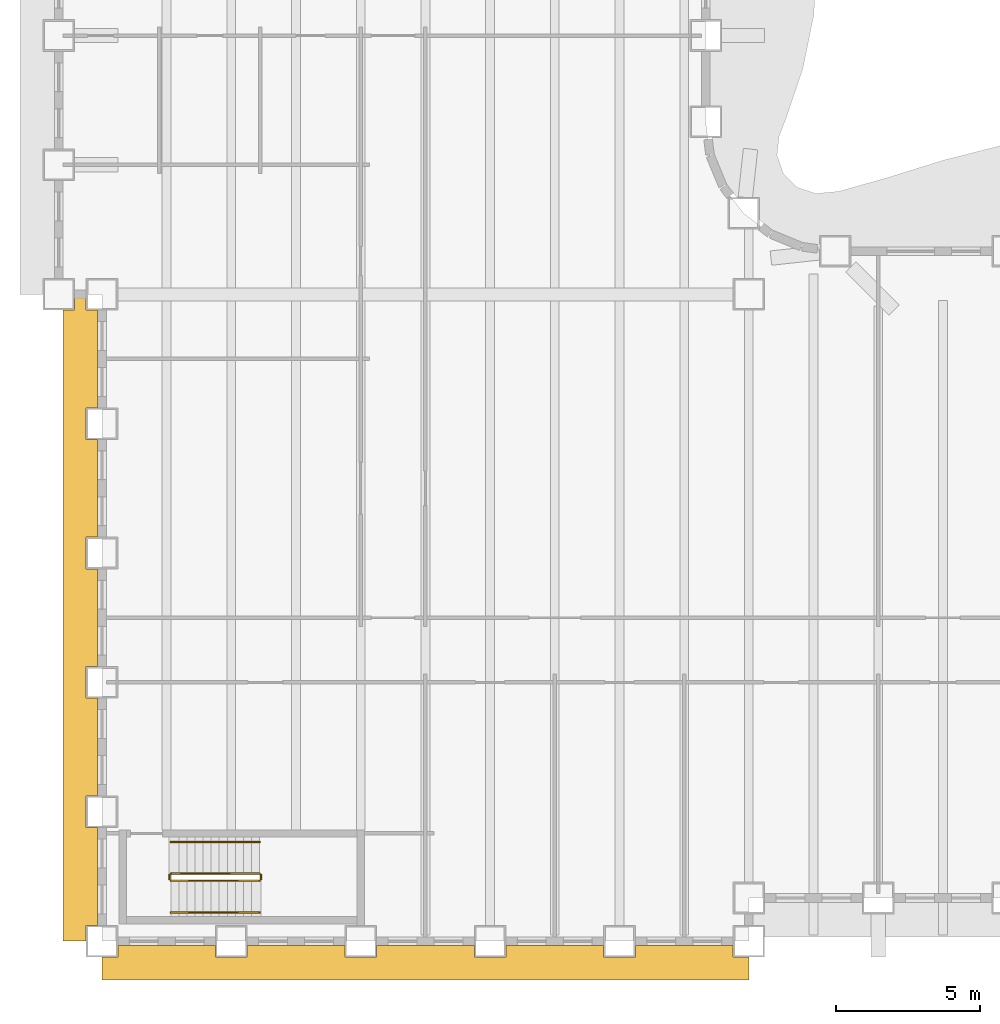
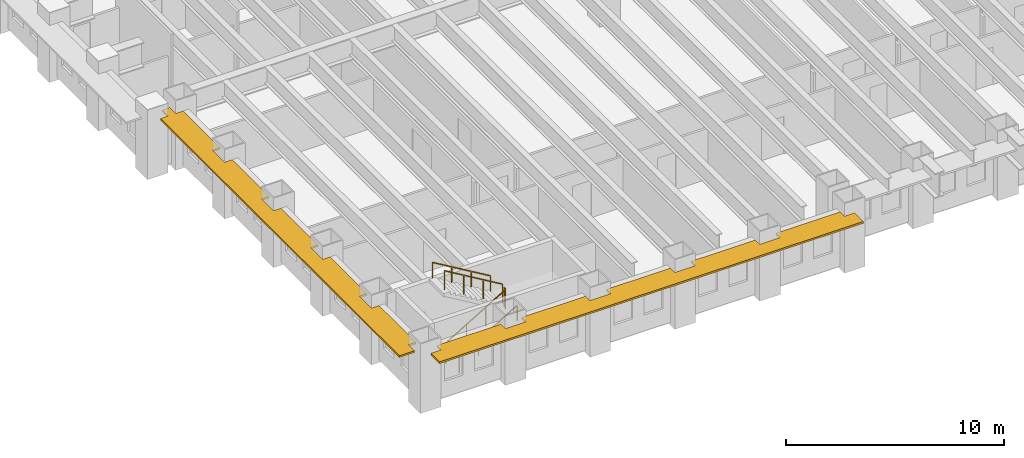
# One storey, part 11 of 16: 6 railings, 2 shading devices.
"""IFC4 building model written with IfcOpenShell, lengths in metres."""

import ifcopenshell
import ifcopenshell.guid

model = None  # the IFC model being written
_history = None  # IfcOwnerHistory: only IFC2X3 demands one
_inside = {}  # id of a spatial element -> (the spatial element, [elements in it])
_under = {}  # id of a project, library or spatial element -> (it, [spatial elements below it])
_declared = {}  # id of a project -> (the project, [libraries it declares])
_typed = {}  # id of a type object -> (the type object, [elements of that type])
_made_of = {}  # id of a material, layer set ... -> (it, [elements and type objects made of it])


def new_model(schema):
    """Start an empty IFC model of exactly this schema.

    Asked for "IFC4X3", IfcOpenShell would pick the latest addendum, in which some entities
    have other attributes; the version numbers below select the first issue.
    IFC2X3 requires an IfcOwnerHistory on every rooted entity: one is made here for all.
    """
    global model, _history
    if schema == "IFC4X3":
        model = ifcopenshell.file(schema_version=(4, 3, 0, 0))
    else:
        model = ifcopenshell.file(schema=schema)
    _inside.clear()
    _under.clear()
    _declared.clear()
    _typed.clear()
    _made_of.clear()
    _history = None
    if model.schema == "IFC2X3":
        org = make("IfcOrganization", Name="unknown")
        user = make(
            "IfcPersonAndOrganization",
            ThePerson=make("IfcPerson", FamilyName="unknown"),
            TheOrganization=org,
        )
        app = make(
            "IfcApplication",
            ApplicationDeveloper=org,
            Version="unknown",
            ApplicationFullName="unknown",
            ApplicationIdentifier="unknown",
        )
        _history = make(
            "IfcOwnerHistory",
            OwningUser=user,
            OwningApplication=app,
            ChangeAction="ADDED",
            CreationDate=0,
        )
    return model


def make(cls, **values):
    """One entity of the class cls with the attributes given. An attribute that is None is left unset."""
    return model.create_entity(
        cls, **{name: value for name, value in values.items() if value is not None}
    )


def rooted(cls, **values):
    """An entity with a GlobalId (a new one), such as an element, a storey or a relation."""
    return make(cls, GlobalId=ifcopenshell.guid.new(), OwnerHistory=_history, **values)


def si_unit(unit_type, name, prefix=None):
    """IfcSIUnit, for example si_unit("LENGTHUNIT", "METRE", prefix="MILLI")."""
    return make("IfcSIUnit", UnitType=unit_type, Prefix=prefix, Name=name)


def assignment(units):
    """IfcUnitAssignment: the units of a project."""
    return None if units is None else make("IfcUnitAssignment", Units=units)


def point(xyz):
    """IfcCartesianPoint."""
    return None if xyz is None else make("IfcCartesianPoint", Coordinates=xyz)


def direction(xyz):
    """IfcDirection."""
    return None if xyz is None else make("IfcDirection", DirectionRatios=xyz)


def frame(location, z_axis=None, x_axis=None):
    """IfcAxis2Placement3D, a coordinate frame: its origin and axes. An axis left out is left unset."""
    return make(
        "IfcAxis2Placement3D",
        Location=point(location),
        Axis=direction(z_axis),
        RefDirection=direction(x_axis),
    )


def frame_2d(location, x_axis=None):
    """IfcAxis2Placement2D, a coordinate frame in the plane: its origin and x axis."""
    return make(
        "IfcAxis2Placement2D", Location=point(location), RefDirection=direction(x_axis)
    )


def origin():
    """The frame at (0, 0, 0) with its axes left unset."""
    return frame((0.0, 0.0, 0.0))


def origin_2d():
    """The frame at (0, 0) in the plane with its x axis left unset."""
    return frame_2d((0.0, 0.0))


def place(relative_to, where):
    """IfcLocalPlacement: puts the frame where relative to a parent placement (None: the world)."""
    return make(
        "IfcLocalPlacement", PlacementRelTo=relative_to, RelativePlacement=where
    )


def context(
    kind, dimensions, precision=None, world=None, true_north=None, identifier=None
):
    """IfcGeometricRepresentationContext, for example the 3D "Model" context."""
    return make(
        "IfcGeometricRepresentationContext",
        ContextIdentifier=identifier,
        ContextType=kind,
        CoordinateSpaceDimension=dimensions,
        Precision=precision,
        WorldCoordinateSystem=world,
        TrueNorth=true_north,
    )


def subcontext(parent, identifier, kind, view, scale=None):
    """IfcGeometricRepresentationSubContext, for example "Body" below "Model"."""
    return make(
        "IfcGeometricRepresentationSubContext",
        ContextIdentifier=identifier,
        ContextType=kind,
        ParentContext=parent,
        TargetScale=scale,
        TargetView=view,
    )


def project(units=None, contexts=None):
    """IfcProject with its units and contexts."""
    return rooted(
        "IfcProject",
        Name="project",
        RepresentationContexts=contexts,
        UnitsInContext=assignment(units),
    )


def spatial(cls, under=None, at=None, **own):
    """A site, building, storey or space (cls), placed at a placement, below another one or the project."""
    s = rooted(cls, ObjectPlacement=at, **own)
    if under is not None:
        _under.setdefault(under.id(), (under, []))[1].append(s)
    return s


def polyline(points):
    """IfcPolyline through the points."""
    return make("IfcPolyline", Points=[point(p) for p in points])


def profile(cls, at=None, kind="AREA", **sizes):
    """A parametric profile (cls). Its sizes go by their IFC names, for example OverallWidth=200.0."""
    return make(cls, ProfileType=kind, Position=at, **sizes)


def rectangle(**sizes):
    """IfcRectangleProfileDef."""
    return profile("IfcRectangleProfileDef", **sizes)


def outline(outer, holes=None, kind="AREA"):
    """IfcArbitraryClosedProfileDef: a profile drawn as a closed curve; with holes, ...WithVoids."""
    if holes is None:
        return make("IfcArbitraryClosedProfileDef", ProfileType=kind, OuterCurve=outer)
    return make(
        "IfcArbitraryProfileDefWithVoids",
        ProfileType=kind,
        OuterCurve=outer,
        InnerCurves=holes,
    )


def extrude(swept, where, along, depth):
    """IfcExtrudedAreaSolid: the profile swept, set in the frame where, extruded along a direction by depth."""
    return make(
        "IfcExtrudedAreaSolid",
        SweptArea=swept,
        Position=where,
        ExtrudedDirection=direction(along),
        Depth=depth,
    )


def shape(context_of_items, identifier, shape_type, items):
    """IfcShapeRepresentation: the items that make up one representation, for example the "Body"."""
    return make(
        "IfcShapeRepresentation",
        ContextOfItems=context_of_items,
        RepresentationIdentifier=identifier,
        RepresentationType=shape_type,
        Items=items,
    )


def material(Name=None, Category=None):
    """IfcMaterial."""
    return make("IfcMaterial", Name=Name, Category=Category)


def layer(
    of_material, thickness, ventilated=None, Name=None, Category=None, Priority=None
):
    """IfcMaterialLayer: one layer of a wall or slab, of a material (None: an air gap)."""
    return make(
        "IfcMaterialLayer",
        Material=of_material,
        LayerThickness=thickness,
        IsVentilated=ventilated,
        Name=Name,
        Category=Category,
        Priority=Priority,
    )


def layer_set(layers, Name=None):
    """IfcMaterialLayerSet."""
    return make("IfcMaterialLayerSet", MaterialLayers=layers, LayerSetName=Name)


def made_of(thing, what):
    """Note that an element or type object is made of a material, layer set ...; save() writes the relation."""
    if what is not None:
        _made_of.setdefault(what.id(), (what, []))[1].append(thing)
    return thing


def type_object(cls, material=None, **own):
    """A type object (cls), such as IfcWallType, which elements share."""
    return made_of(rooted(cls, **own), material)


def element(
    cls,
    number,
    at=None,
    inside=None,
    cuts=None,
    type_object=None,
    material=None,
    context=None,
    identifier="Body",
    shape_type=None,
    held_by="IfcProductDefinitionShape",
    body=None,
    shapes=None,
    **own,
):
    """One element of the class cls, such as IfcWall. Its Tag is "e" and its number.

    at: its placement. inside: the storey or other place that contains it. cuts: it is an
    opening in that element (IfcRelVoidsElement). A single representation is given by context,
    identifier, shape_type and body (its items); several are given by shapes. held_by: the class
    of the entity that holds the representations. save() writes the other relations.
    """
    e = rooted(cls, Tag="e%d" % number, ObjectPlacement=at, **own)
    if body is not None:
        shapes = [shape(context, identifier, shape_type, body)]
    if shapes is not None:
        e.Representation = make(held_by, Representations=shapes)
    if inside is not None:
        _inside.setdefault(inside.id(), (inside, []))[1].append(e)
    if cuts is not None:
        rooted(
            "IfcRelVoidsElement", RelatingBuildingElement=cuts, RelatedOpeningElement=e
        )
    if type_object is not None:
        _typed.setdefault(type_object.id(), (type_object, []))[1].append(e)
    return made_of(e, material)


def aggregate(whole, parts):
    """IfcRelAggregates: a whole, such as a stair, and the parts it consists of."""
    return rooted("IfcRelAggregates", RelatingObject=whole, RelatedObjects=parts)


def save(model, path):
    """Write the relations noted so far, then the file.

    IfcRelAggregates (storeys below a building ...), IfcRelContainedInSpatialStructure (elements
    in a storey), IfcRelDefinesByType, IfcRelAssociatesMaterial and IfcRelDeclares: one each for
    every whole, place, type object, material and project.
    """
    for whole, parts in _under.values():
        aggregate(whole, parts)
    for where, things in _inside.values():
        rooted(
            "IfcRelContainedInSpatialStructure",
            RelatedElements=things,
            RelatingStructure=where,
        )
    for kind, things in _typed.values():
        rooted("IfcRelDefinesByType", RelatedObjects=things, RelatingType=kind)
    for what, things in _made_of.values():
        rooted("IfcRelAssociatesMaterial", RelatedObjects=things, RelatingMaterial=what)
    for by, libraries in _declared.values():
        rooted("IfcRelDeclares", RelatingContext=by, RelatedDefinitions=libraries)
    model.write(path)


model = new_model("IFC4")

# Units and contexts
model_context = context("Model", 3, precision=1e-05, world=origin(), true_north=direction((0.0, 1.0)))
body_context = subcontext(model_context, "Body", "Model", "MODEL_VIEW")
ifc_project = project(units=[si_unit("LENGTHUNIT", "METRE"), si_unit("AREAUNIT", "SQUARE_METRE"), si_unit("VOLUMEUNIT", "CUBIC_METRE"), si_unit("PLANEANGLEUNIT", "RADIAN"), si_unit("MASSUNIT", "GRAM", prefix="KILO")], contexts=[model_context])

# Site, building, storey
site_placement = place(None, origin())
site = spatial("IfcSite", under=ifc_project, at=site_placement, CompositionType="ELEMENT")
building_placement = place(site_placement, origin())
building = spatial("IfcBuilding", under=site, at=building_placement, Name="Sennacour Bend Tower", CompositionType="ELEMENT")
storey_placement = place(building_placement, frame((0.0, 0.0, 73.0)))
storey = spatial("IfcBuildingStorey", under=building, at=storey_placement, Name="L16", CompositionType="ELEMENT", Elevation=73.0)

# Railings
ifc_material_1 = material(Name="Stainless steel", Category="steel")
railing_type_1 = type_object("IfcRailingType", Name="RL-GUARD-1100", PredefinedType="GUARDRAIL", material=ifc_material_1)
railing_1_placement = place(storey_placement, frame((2.39990234375, 2.10009765625, 0.166748046875)))
element("IfcRailing", 1, at=railing_1_placement, inside=storey, type_object=railing_type_1, Name="L16 SK1 stair guard 1", PredefinedType="GUARDRAIL", context=body_context, shape_type="SweptSolid", body=[
    extrude(rectangle(XDim=0.048095703125, YDim=0.048095703125, at=origin_2d()), frame((0.0, 0.0, 1.076171875), z_axis=(0.859308565015, 0.0, 0.511457515432), x_axis=(0.0, 1.0, 0.0)), (0.0, 0.0, 1.0), 3.58447265625),
    extrude(rectangle(XDim=0.0419921875, YDim=0.0419921875, at=origin_2d()), origin(), (0.0, 0.0, 1.0), 1.052001953125),
    extrude(rectangle(XDim=0.0419921875, YDim=0.0419921875, at=origin_2d()), frame((1.026611328125, 0.0, 0.611083984375)), (0.0, 0.0, 1.0), 1.052001953125),
    extrude(rectangle(XDim=0.0419921875, YDim=0.0419921875, at=origin_2d()), frame((2.053466796875, 0.0, 1.22216796875)), (0.0, 0.0, 1.0), 1.052001953125),
    extrude(rectangle(XDim=0.0419921875, YDim=0.0419921875, at=origin_2d()), frame((3.080078125, 0.0, 1.833251953125)), (0.0, 0.0, 1.0), 1.052001953125),
])
railing_2_placement = place(storey_placement, frame((5.530029296875, 2.14990234375, 2.0)))
element("IfcRailing", 2, at=railing_2_placement, inside=storey, type_object=railing_type_1, Name="L16 SK1 stair guard 2", PredefinedType="GUARDRAIL", context=body_context, shape_type="SweptSolid", body=[
    extrude(rectangle(XDim=0.048095703125, YDim=0.048095703125, at=origin_2d()), frame((0.0, 0.0, 1.076171875), z_axis=(0.0, 1.0, 0.0), x_axis=(-1.0, 0.0, 0.0)), (0.0, 0.0, 1.0), 0.150146484375),
    extrude(rectangle(XDim=0.0419921875, YDim=0.0419921875, at=origin_2d()), origin(), (0.0, 0.0, 1.0), 1.052001953125),
    extrude(rectangle(XDim=0.0419921875, YDim=0.0419921875, at=origin_2d()), frame((0.0, 0.150146484375, 0.0)), (0.0, 0.0, 1.0), 1.052001953125),
])
railing_3_placement = place(storey_placement, frame((5.47998046875, 2.35009765625, 2.166748046875)))
element("IfcRailing", 3, at=railing_3_placement, inside=storey, type_object=railing_type_1, Name="L16 SK1 stair guard 3", PredefinedType="GUARDRAIL", context=body_context, shape_type="SweptSolid", body=[
    extrude(rectangle(XDim=0.048095703125, YDim=0.048095703125, at=origin_2d()), frame((0.0, 0.0, 1.076171875), z_axis=(-0.859308565015, 0.0, 0.511457515432), x_axis=(0.0, -1.0, 0.0)), (0.0, 0.0, 1.0), 3.58447265625),
    extrude(rectangle(XDim=0.0419921875, YDim=0.0419921875, at=origin_2d()), origin(), (0.0, 0.0, 1.0), 1.052001953125),
    extrude(rectangle(XDim=0.0419921875, YDim=0.0419921875, at=origin_2d()), frame((-1.026611328125, 0.0, 0.611083984375)), (0.0, 0.0, 1.0), 1.052001953125),
    extrude(rectangle(XDim=0.0419921875, YDim=0.0419921875, at=origin_2d()), frame((-2.053466796875, 0.0, 1.22216796875)), (0.0, 0.0, 1.0), 1.052001953125),
    extrude(rectangle(XDim=0.0419921875, YDim=0.0419921875, at=origin_2d()), frame((-3.080078125, 0.0, 1.833251953125)), (0.0, 0.0, 1.0), 1.052001953125),
])
railing_4_placement = place(storey_placement, frame((2.35009765625, 2.14990234375, 0.0)))
element("IfcRailing", 4, at=railing_4_placement, inside=storey, type_object=railing_type_1, Name="L16 SK1 stair guard 4", PredefinedType="GUARDRAIL", context=body_context, shape_type="SweptSolid", body=[
    extrude(rectangle(XDim=0.048095703125, YDim=0.048095703125, at=origin_2d()), frame((0.0, 0.0, 1.076171875), z_axis=(0.0, 1.0, 0.0), x_axis=(-1.0, 0.0, 0.0)), (0.0, 0.0, 1.0), 0.150146484375),
    extrude(rectangle(XDim=0.0419921875, YDim=0.0419921875, at=origin_2d()), origin(), (0.0, 0.0, 1.0), 1.052001953125),
    extrude(rectangle(XDim=0.0419921875, YDim=0.0419921875, at=origin_2d()), frame((0.0, 0.150146484375, 0.0)), (0.0, 0.0, 1.0), 1.052001953125),
])
railing_type_2 = type_object("IfcRailingType", Name="RL-HANDRAIL-900", PredefinedType="HANDRAIL", material=ifc_material_1)
railing_5_placement = place(storey_placement, frame((2.39990234375, 1.0, 0.166748046875)))
element("IfcRailing", 5, at=railing_5_placement, inside=storey, type_object=railing_type_2, Name="L16 SK1 stair handrail 1", PredefinedType="HANDRAIL", context=body_context, shape_type="SweptSolid", body=[
    extrude(rectangle(XDim=0.048095703125, YDim=0.048095703125, at=origin_2d()), frame((0.0, 0.0, 0.8759765625), z_axis=(0.859308565015, 0.0, 0.511457515432), x_axis=(0.0, 1.0, 0.0)), (0.0, 0.0, 1.0), 3.58447265625),
    extrude(rectangle(XDim=0.0419921875, YDim=0.0419921875, at=origin_2d()), origin(), (0.0, 0.0, 1.0), 0.851806640625),
    extrude(rectangle(XDim=0.0419921875, YDim=0.0419921875, at=origin_2d()), frame((1.026611328125, 0.0, 0.611083984375)), (0.0, 0.0, 1.0), 0.851806640625),
    extrude(rectangle(XDim=0.0419921875, YDim=0.0419921875, at=origin_2d()), frame((2.053466796875, 0.0, 1.22216796875)), (0.0, 0.0, 1.0), 0.851806640625),
    extrude(rectangle(XDim=0.0419921875, YDim=0.0419921875, at=origin_2d()), frame((3.080078125, 0.0, 1.833251953125)), (0.0, 0.0, 1.0), 0.851806640625),
])
railing_6_placement = place(storey_placement, frame((5.47998046875, 3.449951171875, 2.166748046875)))
element("IfcRailing", 6, at=railing_6_placement, inside=storey, type_object=railing_type_2, Name="L16 SK1 stair handrail 2", PredefinedType="HANDRAIL", context=body_context, shape_type="SweptSolid", body=[
    extrude(rectangle(XDim=0.048095703125, YDim=0.048095703125, at=origin_2d()), frame((0.0, 0.0, 0.8759765625), z_axis=(-0.859308565015, 0.0, 0.511457515432), x_axis=(0.0, -1.0, 0.0)), (0.0, 0.0, 1.0), 3.58447265625),
    extrude(rectangle(XDim=0.0419921875, YDim=0.0419921875, at=origin_2d()), origin(), (0.0, 0.0, 1.0), 0.851806640625),
    extrude(rectangle(XDim=0.0419921875, YDim=0.0419921875, at=origin_2d()), frame((-1.026611328125, 0.0, 0.611083984375)), (0.0, 0.0, 1.0), 0.851806640625),
    extrude(rectangle(XDim=0.0419921875, YDim=0.0419921875, at=origin_2d()), frame((-2.053466796875, 0.0, 1.22216796875)), (0.0, 0.0, 1.0), 0.851806640625),
    extrude(rectangle(XDim=0.0419921875, YDim=0.0419921875, at=origin_2d()), frame((-3.080078125, 0.0, 1.833251953125)), (0.0, 0.0, 1.0), 0.851806640625),
])

# Shading devices
ifc_material_2 = material(Name="Bronze anodised aluminium", Category="aluminium")
ifc_layer = layer(ifc_material_2, 0.10009765625, Name="Bronze anodised aluminium", Category="aluminium")
ifc_layer_set = layer_set([ifc_layer], Name="Bronze anodised aluminium")
shading_device_type = type_object("IfcShadingDeviceType", Name="SUNSHADE BAND STRAIGHT", PredefinedType="USERDEFINED", material=ifc_layer_set)
shading_device_1_placement = place(storey_placement, frame((0.0, 0.0, 2.944091796875)))
element("IfcShadingDevice", 7, at=shading_device_1_placement, inside=storey, type_object=shading_device_type, Name="Sunshade band L16 K outer face", ObjectType="SUNSHADE", PredefinedType="USERDEFINED", context=body_context, shape_type="SweptSolid", body=[
    extrude(outline(polyline([(3.949951171875, -0.14990234375), (3.949951171875, -0.550048828125), (5.050048828125, -0.550048828125), (5.050048828125, -0.14990234375), (8.449951171875, -0.14990234375), (8.449951171875, -0.550048828125), (9.550048828125, -0.550048828125), (9.550048828125, -0.14990234375), (12.949951171875, -0.14990234375), (12.949951171875, -0.550048828125), (14.050048828125, -0.550048828125), (14.050048828125, -0.14990234375), (17.449951171875, -0.14990234375), (17.449951171875, -0.550048828125), (18.550048828125, -0.550048828125), (18.550048828125, -0.14990234375), (21.949951171875, -0.14990234375), (21.949951171875, -0.550048828125), (22.5, -0.550048828125), (22.5, -1.35009765625), (0.0, -1.35009765625), (0.0, -0.550048828125), (0.550048828125, -0.550048828125), (0.550048828125, -0.14990234375), (3.949951171875, -0.14990234375)])), origin(), (0.0, 0.0, 1.0), 0.099853515625),
])
shading_device_2_placement = place(storey_placement, frame((0.0, 0.0, 2.944091796875)))
element("IfcShadingDevice", 8, at=shading_device_2_placement, inside=storey, type_object=shading_device_type, Name="Sunshade band L16 K outer face", ObjectType="SUNSHADE", PredefinedType="USERDEFINED", context=body_context, shape_type="SweptSolid", body=[
    extrude(outline(polyline([(-0.14990234375, 18.550048828125), (-0.550048828125, 18.550048828125), (-0.550048828125, 17.449951171875), (-0.14990234375, 17.449951171875), (-0.14990234375, 14.050048828125), (-0.550048828125, 14.050048828125), (-0.550048828125, 12.949951171875), (-0.14990234375, 12.949951171875), (-0.14990234375, 9.550048828125), (-0.550048828125, 9.550048828125), (-0.550048828125, 8.449951171875), (-0.14990234375, 8.449951171875), (-0.14990234375, 5.050048828125), (-0.550048828125, 5.050048828125), (-0.550048828125, 3.949951171875), (-0.14990234375, 3.949951171875), (-0.14990234375, 0.550048828125), (-0.550048828125, 0.550048828125), (-0.550048828125, 0.0), (-1.35009765625, 0.0), (-1.35009765625, 21.949951171875), (-0.949951171875, 21.949951171875), (-0.949951171875, 22.5), (-0.550048828125, 22.5), (-0.550048828125, 21.949951171875), (-0.14990234375, 21.949951171875), (-0.14990234375, 18.550048828125)])), origin(), (0.0, 0.0, 1.0), 0.099853515625),
])

save(model, "model.ifc")
